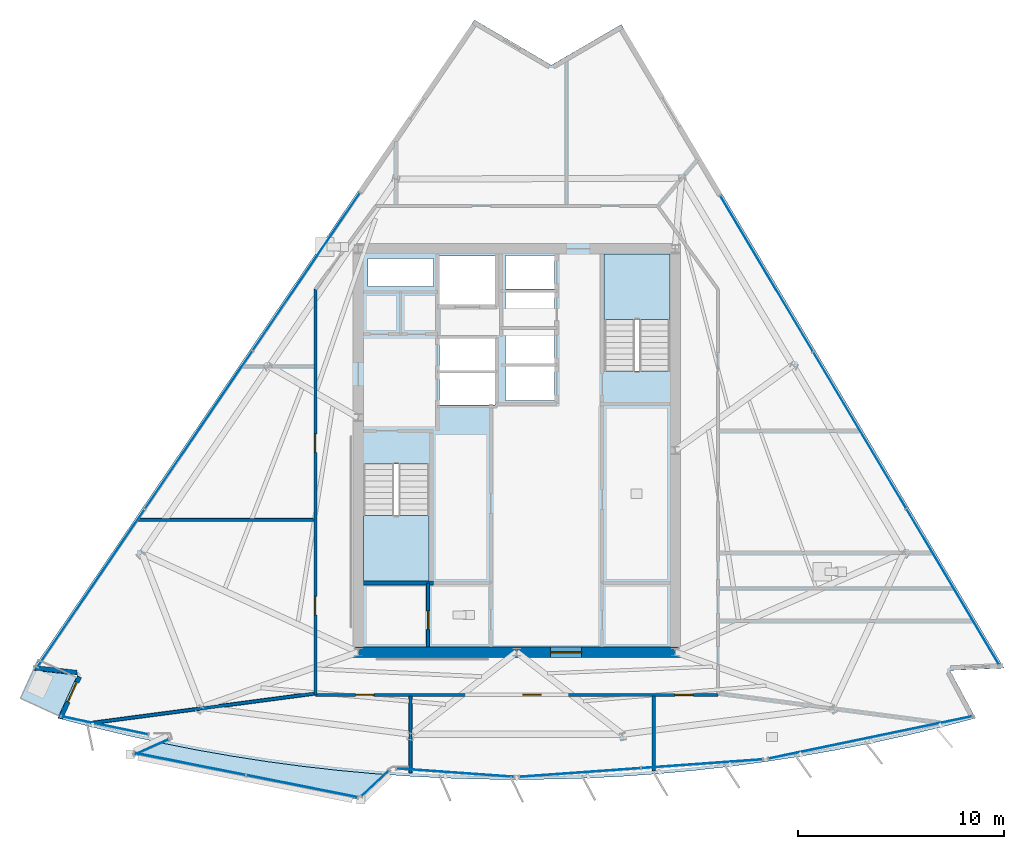
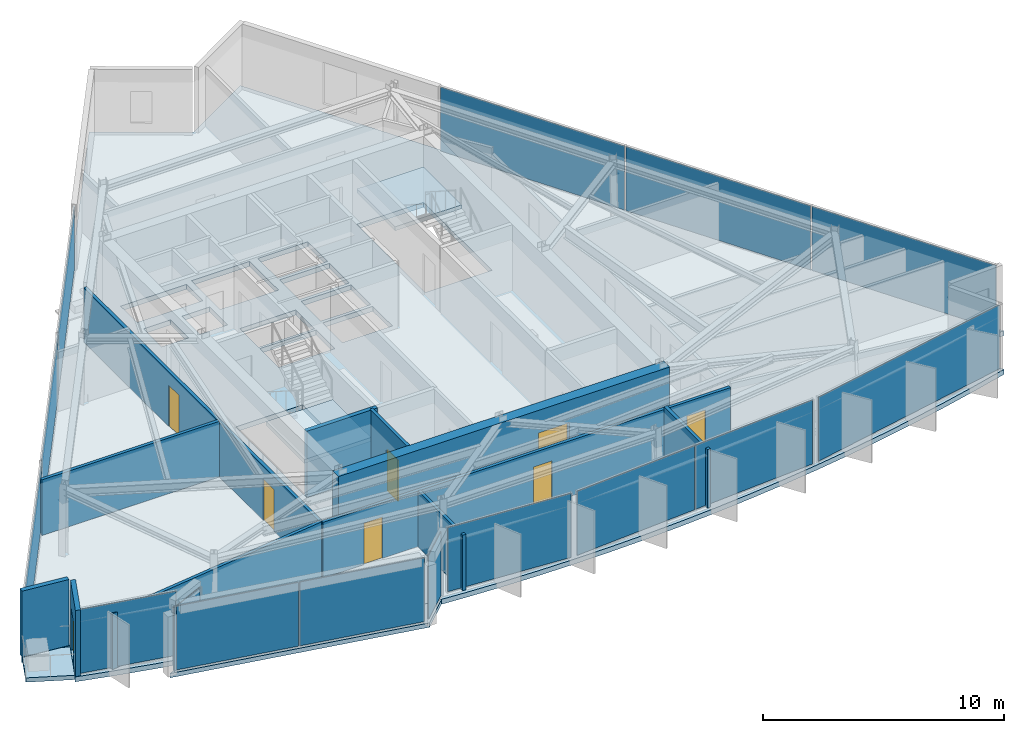
# One storey, part 6 of 13: 15 plates, 11 walls, 8 doors, 5 slabs, 8 openings, 11 elements without a shape of their own.
"""IFC4 building model written with IfcOpenShell, lengths in metres."""

from ifc_helpers import new_model, si_unit, direction, frame, frame_2d, origin, origin_2d, place, context, subcontext, project, spatial, polyline, rectangle, outline, extrude, material, layer, layer_set, type_object, element, fill, aggregate, save


model = new_model("IFC4")

# Units and contexts
model_context = context("Model", 3, precision=1e-05, world=origin(), true_north=direction((0.0, 1.0)))
body_context = subcontext(model_context, "Body", "Model", "MODEL_VIEW")
ifc_project = project(units=[si_unit("LENGTHUNIT", "METRE"), si_unit("AREAUNIT", "SQUARE_METRE"), si_unit("VOLUMEUNIT", "CUBIC_METRE"), si_unit("PLANEANGLEUNIT", "RADIAN"), si_unit("MASSUNIT", "GRAM", prefix="KILO")], contexts=[model_context])

# Site, building, storey
site_placement = place(None, origin())
site = spatial("IfcSite", under=ifc_project, at=site_placement, CompositionType="ELEMENT")
building_placement = place(site_placement, origin())
building = spatial("IfcBuilding", under=site, at=building_placement, Name="Savorim Split Tower", CompositionType="ELEMENT")
storey_placement = place(building_placement, frame((0.0, 0.0, 276.0)))
storey = spatial("IfcBuildingStorey", under=building, at=storey_placement, Name="L73", CompositionType="ELEMENT", Elevation=276.0)

# Curtain wall, plate
ifc_material_1 = material(Name="Dark Ceramic-Fritted Insulated Glass", Category="glass")
curtain_wall_type_1 = type_object("IfcCurtainWallType", Name="CW-TWR-FRIT-B", PredefinedType="NOTDEFINED", material=ifc_material_1)
curtain_wall_1_placement = place(storey_placement, origin())
curtain_wall_1 = element("IfcCurtainWall", 1, at=curtain_wall_1_placement, inside=storey, type_object=curtain_wall_type_1, Name="L73 Curtain Wall CW-L73-SF1A", PredefinedType="NOTDEFINED")
ifc_layer_1 = layer(ifc_material_1, 0.02587890625)
ifc_layer_set_1 = layer_set([ifc_layer_1], Name="CWP-FRITB-26")
plate_type_1 = type_object("IfcPlateType", Name="CWP-FRITB-26", PredefinedType="CURTAIN_PANEL", material=ifc_layer_set_1)
plate_1_placement = place(storey_placement, frame((-20.01708984375, -12.9560546875, 0.050048828125), z_axis=(0.0, 0.0, 1.0), x_axis=(0.979133069739, -0.203220155852, 0.0)))
plate_1 = element("IfcPlate", 2, at=plate_1_placement, type_object=plate_type_1, Name="CW-03 panel 1.1", PredefinedType="CURTAIN_PANEL", context=body_context, shape_type="SweptSolid", body=[
    extrude(rectangle(XDim=4.28125, YDim=0.02587890625, at=origin_2d()), origin(), (0.0, 0.0, 1.0), 3.25),
])
aggregate(curtain_wall_1, [plate_1])

curtain_wall_2_placement = place(storey_placement, origin())
curtain_wall_2 = element("IfcCurtainWall", 3, at=curtain_wall_2_placement, inside=storey, type_object=curtain_wall_type_1, Name="L73 Curtain Wall CW-L73-SF2A", PredefinedType="NOTDEFINED")
plate_2_placement = place(storey_placement, frame((-2.98681640625, -15.25439453125, 0.050048828125), z_axis=(0.0, 0.0, 1.0), x_axis=(0.997436181633, -0.071561606808, 0.0)))
plate_2 = element("IfcPlate", 4, at=plate_2_placement, type_object=plate_type_1, Name="CW-03 panel 1.1", PredefinedType="CURTAIN_PANEL", context=body_context, shape_type="SweptSolid", body=[
    extrude(rectangle(XDim=5.686279296875, YDim=0.02587890625, at=origin_2d()), origin(), (0.0, 0.0, 1.0), 3.25),
])
aggregate(curtain_wall_2, [plate_2])

# Curtain wall, plates
curtain_wall_3_placement = place(storey_placement, origin())
curtain_wall_3 = element("IfcCurtainWall", 5, at=curtain_wall_3_placement, inside=storey, type_object=curtain_wall_type_1, Name="L73 Curtain Wall CW-L73-SF3A", PredefinedType="NOTDEFINED")
plate_3_placement = place(storey_placement, frame((3.082763671875, -15.24755859375, 0.050048828125), z_axis=(0.0, 0.0, 1.0), x_axis=(0.997436282449, 0.071560201608, 0.0)))
plate_3 = element("IfcPlate", 6, at=plate_3_placement, type_object=plate_type_1, Name="CW-03 panel 1.1", PredefinedType="CURTAIN_PANEL", context=body_context, shape_type="SweptSolid", body=[
    extrude(rectangle(XDim=5.87841796875, YDim=0.02587890625, at=origin_2d()), origin(), (0.0, 0.0, 1.0), 3.25),
])
plate_4_placement = place(storey_placement, frame((9.005859375, -14.822509765625, 0.050048828125), z_axis=(0.0, 0.0, 1.0), x_axis=(0.997436282449, 0.071560201608, 0.0)))
plate_4 = element("IfcPlate", 7, at=plate_4_placement, type_object=plate_type_1, Name="CW-03 panel 2.1", PredefinedType="CURTAIN_PANEL", context=body_context, shape_type="SweptSolid", body=[
    extrude(rectangle(XDim=5.87841796875, YDim=0.02587890625, at=origin_2d()), origin(), (0.0, 0.0, 1.0), 3.25),
])
aggregate(curtain_wall_3, [plate_3, plate_4])

# Curtain wall, plate
curtain_wall_4_placement = place(storey_placement, origin())
curtain_wall_4 = element("IfcCurtainWall", 8, at=curtain_wall_4_placement, inside=storey, type_object=curtain_wall_type_1, Name="L73 Curtain Wall CW-L73-SF4A", PredefinedType="NOTDEFINED")
plate_5_placement = place(storey_placement, frame((17.175537109375, -13.545654296875, 0.050048828125), z_axis=(0.0, 0.0, 1.0), x_axis=(0.979134131762, 0.203215038861, 0.0)))
plate_5 = element("IfcPlate", 9, at=plate_5_placement, type_object=plate_type_1, Name="CW-03 panel 1.1", PredefinedType="CURTAIN_PANEL", context=body_context, shape_type="SweptSolid", body=[
    extrude(rectangle(XDim=10.08544921875, YDim=0.02587890625, at=origin_2d()), origin(), (0.0, 0.0, 1.0), 3.25),
])
aggregate(curtain_wall_4, [plate_5])

# Curtain wall, plates
curtain_wall_5_placement = place(storey_placement, origin())
curtain_wall_5 = element("IfcCurtainWall", 10, at=curtain_wall_5_placement, inside=storey, type_object=curtain_wall_type_1, Name="L73 Curtain Wall CW-L73-EAST", PredefinedType="NOTDEFINED")
plate_6_placement = place(storey_placement, frame((21.18701171875, -6.226318359375, 0.050048828125), z_axis=(0.0, 0.0, 1.0), x_axis=(-0.511091684727, 0.859526200766, 0.0)))
plate_6 = element("IfcPlate", 11, at=plate_6_placement, type_object=plate_type_1, Name="CW-03 panel 1.1", PredefinedType="CURTAIN_PANEL", context=body_context, shape_type="SweptSolid", body=[
    extrude(rectangle(XDim=8.775390625, YDim=0.02587890625, at=origin_2d()), origin(), (0.0, 0.0, 1.0), 3.25),
])
plate_7_placement = place(storey_placement, frame((16.66357421875, 1.380615234375, 0.050048828125), z_axis=(0.0, 0.0, 1.0), x_axis=(-0.511091684727, 0.859526200766, 0.0)))
plate_7 = element("IfcPlate", 12, at=plate_7_placement, type_object=plate_type_1, Name="CW-03 panel 2.1", PredefinedType="CURTAIN_PANEL", context=body_context, shape_type="SweptSolid", body=[
    extrude(rectangle(XDim=8.80517578125, YDim=0.02587890625, at=origin_2d()), origin(), (0.0, 0.0, 1.0), 3.25),
])
plate_8_placement = place(storey_placement, frame((12.140380859375, 8.98779296875, 0.050048828125), z_axis=(0.0, 0.0, 1.0), x_axis=(-0.511091684727, 0.859526200766, 0.0)))
plate_8 = element("IfcPlate", 13, at=plate_8_placement, type_object=plate_type_1, Name="CW-03 panel 3.1", PredefinedType="CURTAIN_PANEL", context=body_context, shape_type="SweptSolid", body=[
    extrude(rectangle(XDim=8.775390625, YDim=0.02587890625, at=origin_2d()), origin(), (0.0, 0.0, 1.0), 3.25),
])
aggregate(curtain_wall_5, [plate_6, plate_7, plate_8])

curtain_wall_6_placement = place(storey_placement, origin())
curtain_wall_6 = element("IfcCurtainWall", 14, at=curtain_wall_6_placement, inside=storey, type_object=curtain_wall_type_1, Name="L73 Curtain Wall CW-L73-WEST", PredefinedType="NOTDEFINED")
plate_9_placement = place(storey_placement, frame((-10.220703125, 9.082275390625, 0.050048828125), z_axis=(0.0, 0.0, 1.0), x_axis=(-0.562470084107, -0.826817636776, 0.0)))
plate_9 = element("IfcPlate", 15, at=plate_9_placement, type_object=plate_type_1, Name="CW-03 panel 1.1", PredefinedType="CURTAIN_PANEL", context=body_context, shape_type="SweptSolid", body=[
    extrude(rectangle(XDim=9.22265625, YDim=0.02587890625, at=origin_2d()), origin(), (0.0, 0.0, 1.0), 3.25),
])
plate_10_placement = place(storey_placement, frame((-15.450439453125, 1.394775390625, 0.050048828125), z_axis=(0.0, 0.0, 1.0), x_axis=(-0.562470084107, -0.826817636776, 0.0)))
plate_10 = element("IfcPlate", 16, at=plate_10_placement, type_object=plate_type_1, Name="CW-03 panel 2.1", PredefinedType="CURTAIN_PANEL", context=body_context, shape_type="SweptSolid", body=[
    extrude(rectangle(XDim=9.252685546875, YDim=0.02587890625, at=origin_2d()), origin(), (0.0, 0.0, 1.0), 3.25),
])
plate_11_placement = place(storey_placement, frame((-20.679931640625, -6.292724609375, 0.050048828125), z_axis=(0.0, 0.0, 1.0), x_axis=(-0.562470084107, -0.826817636776, 0.0)))
plate_11 = element("IfcPlate", 17, at=plate_11_placement, type_object=plate_type_1, Name="CW-03 panel 3.1", PredefinedType="CURTAIN_PANEL", context=body_context, shape_type="SweptSolid", body=[
    extrude(rectangle(XDim=9.22265625, YDim=0.02587890625, at=origin_2d()), origin(), (0.0, 0.0, 1.0), 3.25),
])
aggregate(curtain_wall_6, [plate_9, plate_10, plate_11])

curtain_wall_type_2 = type_object("IfcCurtainWallType", Name="CW-BAY-LOUNGE", PredefinedType="NOTDEFINED", material=ifc_material_1)
curtain_wall_7_placement = place(storey_placement, origin())
curtain_wall_7 = element("IfcCurtainWall", 18, at=curtain_wall_7_placement, inside=storey, type_object=curtain_wall_type_2, Name="L73 Curtain Wall CW-L73-BAYF", PredefinedType="NOTDEFINED")
ifc_material_2 = material(Name="Low-E Operable Double Glazing", Category="glass")
ifc_layer_2 = layer(ifc_material_2, 0.031982421875)
ifc_layer_set_2 = layer_set([ifc_layer_2], Name="CWP-POD-32")
plate_type_2 = type_object("IfcPlateType", Name="CWP-POD-32", PredefinedType="CURTAIN_PANEL", material=ifc_layer_set_2)
plate_12_placement = place(storey_placement, frame((-15.873291015625, -14.8330078125, 0.05517578125), z_axis=(0.0, 0.0, 1.0), x_axis=(0.980905606927, -0.194484421737, 0.0)))
plate_12 = element("IfcPlate", 19, at=plate_12_placement, type_object=plate_type_2, Name="CW-04 panel 1.1", PredefinedType="CURTAIN_PANEL", context=body_context, shape_type="SweptSolid", body=[
    extrude(rectangle(XDim=5.48388671875, YDim=0.031982421875, at=origin_2d()), origin(), (0.0, 0.0, 1.0), 3.239990234375),
])
plate_13_placement = place(storey_placement, frame((-10.43017578125, -15.912109375, 0.05517578125), z_axis=(0.0, 0.0, 1.0), x_axis=(0.980905606927, -0.194484421737, 0.0)))
plate_13 = element("IfcPlate", 20, at=plate_13_placement, type_object=plate_type_2, Name="CW-04 panel 2.1", PredefinedType="CURTAIN_PANEL", context=body_context, shape_type="SweptSolid", body=[
    extrude(rectangle(XDim=5.48388671875, YDim=0.031982421875, at=origin_2d()), origin(), (0.0, 0.0, 1.0), 3.239990234375),
])
aggregate(curtain_wall_7, [plate_12, plate_13])

# Curtain wall, plate
curtain_wall_8_placement = place(storey_placement, origin())
curtain_wall_8 = element("IfcCurtainWall", 21, at=curtain_wall_8_placement, inside=storey, type_object=curtain_wall_type_2, Name="L73 Curtain Wall CW-L73-BAYW", PredefinedType="NOTDEFINED")
plate_14_placement = place(storey_placement, frame((-17.74658203125, -14.01513671875, 0.05517578125), z_axis=(0.0, 0.0, 1.0), x_axis=(-0.912431017812, -0.409230543501, 0.0)))
plate_14 = element("IfcPlate", 22, at=plate_14_placement, type_object=plate_type_2, Name="CW-04 panel 1.1", PredefinedType="CURTAIN_PANEL", context=body_context, shape_type="SweptSolid", body=[
    extrude(rectangle(XDim=1.81005859375, YDim=0.031982421875, at=origin_2d()), origin(), (0.0, 0.0, 1.0), 3.239990234375),
])
aggregate(curtain_wall_8, [plate_14])

curtain_wall_9_placement = place(storey_placement, origin())
curtain_wall_9 = element("IfcCurtainWall", 23, at=curtain_wall_9_placement, inside=storey, type_object=curtain_wall_type_2, Name="L73 Curtain Wall CW-L73-BAYE", PredefinedType="NOTDEFINED")
plate_15_placement = place(storey_placement, frame((-6.87060546875, -15.77099609375, 0.05517578125), z_axis=(0.0, 0.0, 1.0), x_axis=(0.725947265725, 0.687750367057, 0.0)))
plate_15 = element("IfcPlate", 24, at=plate_15_placement, type_object=plate_type_2, Name="CW-04 panel 1.1", PredefinedType="CURTAIN_PANEL", context=body_context, shape_type="SweptSolid", body=[
    extrude(rectangle(XDim=1.81005859375, YDim=0.031982421875, at=origin_2d()), origin(), (0.0, 0.0, 1.0), 3.239990234375),
])
aggregate(curtain_wall_9, [plate_15])

# Slabs
ifc_material_3 = material(Name="Concrete C50/60", Category="concrete")
ifc_layer_3 = layer(ifc_material_3, 0.219970703125)
ifc_layer_set_3 = layer_set([ifc_layer_3], Name="SLB-BAL-220")
slab_type_1 = type_object("IfcSlabType", Name="SLB-BAL-220", PredefinedType="FLOOR", material=ifc_layer_set_3)
slab_1_placement = place(storey_placement, frame((0.0, 0.0, -0.219970703125)))
element("IfcSlab", 25, at=slab_1_placement, inside=storey, type_object=slab_type_1, Name="L73 Cantilevered Shared Kitchen Lounge Slab", PredefinedType="FLOOR", context=body_context, shape_type="SweptSolid", body=[
    extrude(outline(polyline([(-6.28271484375, -15.351806640625), (-6.93359375, -15.30517578125), (-8.66162109375, -15.1455078125), (-10.3857421875, -14.95068359375), (-12.105712890625, -14.720458984375), (-13.820556640625, -14.455078125), (-15.52978515625, -14.15478515625), (-17.232421875, -13.819580078125), (-17.44921875, -13.772216796875), (-18.763916015625, -14.36181640625), (-7.57861328125, -16.57958984375), (-6.28271484375, -15.351806640625)])), origin(), (0.0, 0.0, 1.0), 0.219970703125),
])
slab_2_placement = place(storey_placement, frame((0.0, 0.0, -0.219970703125)))
element("IfcSlab", 26, at=slab_2_placement, inside=storey, type_object=slab_type_1, Name="L73 Notched Corner Planted Tree Balcony Slab", PredefinedType="FLOOR", context=body_context, shape_type="SweptSolid", body=[
    extrude(outline(polyline([(-22.24853515625, -12.494873046875), (-21.3876953125, -10.62158203125), (-21.6982421875, -10.47900390625), (-23.481201171875, -10.27978515625), (-24.106689453125, -11.64111328125), (-22.24853515625, -12.494873046875)])), origin(), (0.0, 0.0, 1.0), 0.219970703125),
])

# Stair, slab
stair_type = type_object("IfcStairType", Name="STR-DOG-3600", PredefinedType="HALF_TURN_STAIR", material=ifc_material_3)
stair_1_placement = place(storey_placement, origin())
stair_1 = element("IfcStair", 27, at=stair_1_placement, inside=storey, type_object=stair_type, Name="L73 Core Protected Exit Stair ST-1", PredefinedType="HALF_TURN_STAIR")
ifc_layer_4 = layer(ifc_material_3, 0.199951171875)
ifc_layer_set_4 = layer_set([ifc_layer_4], Name="SLB-LND-200")
slab_type_2 = type_object("IfcSlabType", Name="SLB-LND-200", PredefinedType="LANDING", material=ifc_layer_set_4)
slab_3_placement = place(storey_placement, frame((0.0, 0.0, 1.60009765625)))
slab_3 = element("IfcSlab", 28, at=slab_3_placement, type_object=slab_type_2, Name="ST-1 landing 1", PredefinedType="LANDING", context=body_context, shape_type="SweptSolid", body=[
    extrude(outline(polyline([(-7.449951171875, -2.77001953125), (-7.449951171875, -5.949951171875), (-4.25, -5.949951171875), (-4.25, -2.77001953125), (-7.449951171875, -2.77001953125)])), origin(), (0.0, 0.0, 1.0), 0.199951171875),
])
aggregate(stair_1, [slab_3])

stair_2_placement = place(storey_placement, origin())
stair_2 = element("IfcStair", 29, at=stair_2_placement, inside=storey, type_object=stair_type, Name="L73 Core Protected Exit Stair ST-2", PredefinedType="HALF_TURN_STAIR")
slab_4_placement = place(storey_placement, frame((0.0, 0.0, 1.60009765625)))
slab_4 = element("IfcSlab", 30, at=slab_4_placement, type_object=slab_type_2, Name="ST-2 landing 1", PredefinedType="LANDING", context=body_context, shape_type="SweptSolid", body=[
    extrude(outline(polyline([(7.449951171875, 6.77001953125), (7.449951171875, 9.949951171875), (4.25, 9.949951171875), (4.25, 6.77001953125), (7.449951171875, 6.77001953125)])), origin(), (0.0, 0.0, 1.0), 0.199951171875),
])
aggregate(stair_2, [slab_4])

# Slab
ifc_layer_5 = layer(ifc_material_3, 0.25)
ifc_layer_set_5 = layer_set([ifc_layer_5], Name="SLB-TWR-250")
slab_type_3 = type_object("IfcSlabType", Name="SLB-TWR-250", PredefinedType="FLOOR", material=ifc_layer_set_5)
slab_5_placement = place(storey_placement, frame((0.0, 0.0, -0.25)))
element("IfcSlab", 31, at=slab_5_placement, inside=storey, type_object=slab_type_3, Name="L73 Structural Floor Slab", PredefinedType="FLOOR", context=body_context, shape_type="SweptSolid", body=[
    extrude(outline(polyline([(-22.2939453125, -12.60595703125), (-20.615234375, -13.045166015625), (-18.927734375, -13.44970703125), (-17.232421875, -13.819580078125), (-15.52978515625, -14.15478515625), (-13.820556640625, -14.455078125), (-12.105712890625, -14.720458984375), (-10.3857421875, -14.95068359375), (-8.66162109375, -15.1455078125), (-6.93359375, -15.30517578125), (-5.20263671875, -15.42919921875), (-3.4697265625, -15.51806640625), (-1.735107421875, -15.5712890625), (0.0, -15.589111328125), (1.735107421875, -15.5712890625), (3.4697265625, -15.51806640625), (5.20263671875, -15.42919921875), (6.93359375, -15.30517578125), (8.66162109375, -15.1455078125), (10.3857421875, -14.95068359375), (12.105712890625, -14.720458984375), (13.820556640625, -14.455078125), (15.52978515625, -14.15478515625), (17.232421875, -13.819580078125), (18.927734375, -13.44970703125), (20.615234375, -13.045166015625), (22.2939453125, -12.60595703125), (21.050537109375, -10.288818359375), (23.67578125, -10.177001953125), (5.08203125, 21.0927734375), (1.687744140625, 19.114501953125), (-2.047607421875, 21.31005859375), (-23.530517578125, -10.269287109375), (-21.333251953125, -10.514892578125), (-22.2939453125, -12.60595703125)]), holes=[polyline([(-7.449951171875, -0.25390625), (-7.449951171875, -5.949951171875), (-4.25, -5.949951171875), (-4.25, -0.25390625), (-7.449951171875, -0.25390625)]), polyline([(7.449951171875, 4.25390625), (7.449951171875, 9.949951171875), (4.25, 9.949951171875), (4.25, 4.25390625), (7.449951171875, 4.25390625)]), polyline([(-0.550048828125, 2.830078125), (1.85009765625, 2.830078125), (1.85009765625, 4.469970703125), (-0.550048828125, 4.469970703125), (-0.550048828125, 2.830078125)]), polyline([(-0.550048828125, 4.6298828125), (1.85009765625, 4.6298828125), (1.85009765625, 6.27001953125), (-0.550048828125, 6.27001953125), (-0.550048828125, 4.6298828125)]), polyline([(-0.550048828125, 6.429931640625), (1.85009765625, 6.429931640625), (1.85009765625, 8.070068359375), (-0.550048828125, 8.070068359375), (-0.550048828125, 6.429931640625)]), polyline([(-0.550048828125, 8.22998046875), (1.85009765625, 8.22998046875), (1.85009765625, 9.8701171875), (-0.550048828125, 9.8701171875), (-0.550048828125, 8.22998046875)]), polyline([(-3.75, 2.60009765625), (-1.050048828125, 2.60009765625), (-1.050048828125, 4.159912109375), (-3.75, 4.159912109375), (-3.75, 2.60009765625)]), polyline([(-3.75, 4.280029296875), (-1.050048828125, 4.280029296875), (-1.050048828125, 5.840087890625), (-3.75, 5.840087890625), (-3.75, 4.280029296875)]), polyline([(-3.75, 7.449951171875), (-0.949951171875, 7.449951171875), (-0.949951171875, 9.85009765625), (-3.75, 9.85009765625), (-3.75, 7.449951171875)]), polyline([(-7.219970703125, 6.320068359375), (-5.919921875, 6.320068359375), (-5.919921875, 7.820068359375), (-7.219970703125, 7.820068359375), (-7.219970703125, 6.320068359375)]), polyline([(-5.3798828125, 6.320068359375), (-4.050048828125, 6.320068359375), (-4.050048828125, 7.820068359375), (-5.3798828125, 7.820068359375), (-5.3798828125, 6.320068359375)]), polyline([(-7.219970703125, 8.360107421875), (-4.050048828125, 8.360107421875), (-4.050048828125, 9.719970703125), (-7.219970703125, 9.719970703125), (-7.219970703125, 8.360107421875)])]), origin(), (0.0, 0.0, 1.0), 0.25),
])

# Wall, opening, door
ifc_material_4 = material(Name="Concrete C60/75", Category="concrete")
ifc_layer_6 = layer(ifc_material_4, 0.5)
ifc_layer_set_6 = layer_set([ifc_layer_6], Name="WAL-COR-SH500")
wall_type_1 = type_object("IfcWallType", Name="WAL-COR-SH500", PredefinedType="SHEAR", material=ifc_layer_set_6)
wall_1_placement = place(storey_placement, frame((-7.949951171875, -9.39990234375, 0.0), z_axis=(0.0, 0.0, 1.0), x_axis=(1.0, 0.0, 0.0)))
wall_1 = element("IfcWall", 32, at=wall_1_placement, inside=storey, type_object=wall_type_1, Name="L73 Offset Core South Shear Wall", PredefinedType="SHEAR", context=body_context, shape_type="SweptSolid", body=[
    extrude(rectangle(XDim=15.89990234375, YDim=0.5, at=frame_2d((7.949951171875, 0.0))), origin(), (0.0, 0.0, 1.0), 3.35009765625),
])
opening_1_placement = place(wall_1_placement, frame((9.60009765625, 0.0, 0.0)))
opening_1 = element("IfcOpeningElement", 33, at=opening_1_placement, cuts=wall_1, Name="Opening DI-02", PredefinedType="OPENING", context=body_context, shape_type="SweptSolid", body=[
    extrude(rectangle(XDim=1.5, YDim=2.199951171875, at=frame_2d((0.75, 1.10009765625))), frame((0.0, 0.260009765625, 0.0), z_axis=(0.0, -1.0, 0.0), x_axis=(1.0, 0.0, 0.0)), (0.0, 0.0, 1.0), 0.52001953125),
])
ifc_material_5 = material(Name="Timber Fire Door Leaf", Category="wood")
door_type_1 = type_object("IfcDoorType", Name="DOR-DBL-1500", OperationType="NOTDEFINED", PredefinedType="DOOR", material=ifc_material_5)
door_1_placement = place(opening_1_placement, origin())
door_1 = element("IfcDoor", 34, at=door_1_placement, inside=storey, type_object=door_type_1, Name="DOR-L73-COR-LLOB - L73 Lift Lobby Main Rated Door", OperationType="DOUBLE_DOOR_SINGLE_SWING", OverallHeight=2.199951171875, OverallWidth=1.5, PredefinedType="DOOR", context=body_context, shape_type="SweptSolid", body=[
    extrude(rectangle(XDim=1.5, YDim=2.199951171875, at=frame_2d((0.75, 1.10009765625))), frame((0.0, 0.02490234375, 0.0), z_axis=(0.0, -1.0, 0.0), x_axis=(1.0, 0.0, 0.0)), (0.0, 0.0, 1.0), 0.050048828125),
])
fill(opening_1, door_1)

# Wall
ifc_material_6 = material(Name="Precast concrete C40/50", Category="concrete")
ifc_layer_7 = layer(ifc_material_6, 0.219970703125)
ifc_layer_set_7 = layer_set([ifc_layer_7], Name="WAL-EXT-CRN220")
wall_type_2 = type_object("IfcWallType", Name="WAL-EXT-CRN220", PredefinedType="SOLIDWALL", material=ifc_layer_set_7)
wall_2_placement = place(storey_placement, frame((-21.359619140625, -10.39111328125, 0.0), z_axis=(0.0, 0.0, 1.0), x_axis=(-0.993817888275, 0.111022542511, 0.0)))
element("IfcWall", 35, at=wall_2_placement, inside=storey, type_object=wall_type_2, Name="L73 Notched Corner Facade Wall SW1", PredefinedType="SOLIDWALL", context=body_context, shape_type="SweptSolid", body=[
    extrude(rectangle(XDim=2.130859375, YDim=0.219970703125, at=frame_2d((1.0654296875, 0.0))), origin(), (0.0, 0.0, 1.0), 3.35009765625),
])

# Wall, opening, door
wall_3_placement = place(storey_placement, frame((-22.168212890625, -12.619873046875, 0.0), z_axis=(0.0, 0.0, 1.0), x_axis=(0.417426589535, 0.908710648308, 0.0)))
wall_3 = element("IfcWall", 36, at=wall_3_placement, inside=storey, type_object=wall_type_2, Name="L73 Notched Corner Facade Wall SW", PredefinedType="SOLIDWALL", context=body_context, shape_type="SweptSolid", body=[
    extrude(rectangle(XDim=2.221435546875, YDim=0.219970703125, at=frame_2d((1.11083984375, 0.0))), origin(), (0.0, 0.0, 1.0), 3.35009765625),
])
opening_2_placement = place(wall_3_placement, frame((0.8857421875, 0.0, 0.0)))
opening_2 = element("IfcOpeningElement", 37, at=opening_2_placement, cuts=wall_3, Name="Opening DB-01", PredefinedType="OPENING", context=body_context, shape_type="SweptSolid", body=[
    extrude(rectangle(XDim=1.050048828125, YDim=2.14990234375, at=frame_2d((0.52490234375, 1.074951171875))), frame((0.0, 0.119873046875, 0.0), z_axis=(0.0, -1.0, 0.0), x_axis=(1.0, 0.0, 0.0)), (0.0, 0.0, 1.0), 0.239990234375),
])
ifc_material_7 = material(Name="Charcoal Anodised Aluminium", Category="aluminium")
door_type_2 = type_object("IfcDoorType", Name="DOR-BAL-1050", OperationType="NOTDEFINED", PredefinedType="DOOR", material=ifc_material_7)
door_2_placement = place(opening_2_placement, origin())
door_2 = element("IfcDoor", 38, at=door_2_placement, inside=storey, type_object=door_type_2, Name="DOR-L73-TBAL-SW - L73 Planted Tree Balcony Door SW", OperationType="SINGLE_SWING_RIGHT", OverallHeight=2.14990234375, OverallWidth=1.050048828125, PredefinedType="DOOR", context=body_context, shape_type="SweptSolid", body=[
    extrude(rectangle(XDim=1.050048828125, YDim=2.14990234375, at=frame_2d((0.52490234375, 1.074951171875))), frame((0.0, 0.02490234375, 0.0), z_axis=(0.0, -1.0, 0.0), x_axis=(1.0, 0.0, 0.0)), (0.0, 0.0, 1.0), 0.050048828125),
])
fill(opening_2, door_2)

# Wall
ifc_layer_8 = layer(ifc_material_3, 0.199951171875)
ifc_layer_set_8 = layer_set([ifc_layer_8], Name="WAL-INT-RC200")
wall_type_3 = type_object("IfcWallType", Name="WAL-INT-RC200", PredefinedType="SOLIDWALL", material=ifc_layer_set_8)
wall_4_placement = place(storey_placement, frame((-7.449951171875, -6.050048828125, 0.0), z_axis=(0.0, 0.0, 1.0), x_axis=(1.0, 0.0, 0.0)))
element("IfcWall", 39, at=wall_4_placement, inside=storey, type_object=wall_type_3, Name="L73 Structural Shaft Wall W-L73-KSEP-W", PredefinedType="SOLIDWALL", context=body_context, shape_type="SweptSolid", body=[
    extrude(rectangle(XDim=3.39990234375, YDim=0.199951171875, at=frame_2d((1.699951171875, 0.0))), origin(), (0.0, 0.0, 1.0), 3.35009765625),
])

# Wall, opening, door
ifc_material_8 = material(Name="Acoustic Gypsum Partition Board")
ifc_layer_9 = layer(ifc_material_8, 0.14990234375)
ifc_layer_set_9 = layer_set([ifc_layer_9], Name="WAL-PAR-150")
wall_type_4 = type_object("IfcWallType", Name="WAL-PAR-150", PredefinedType="PARTITIONING", material=ifc_layer_set_9)
wall_5_placement = place(storey_placement, frame((-4.300048828125, -9.14501953125, 0.0), z_axis=(0.0, 0.0, 1.0), x_axis=(0.0, 1.0, 0.0)))
wall_5 = element("IfcWall", 40, at=wall_5_placement, inside=storey, type_object=wall_type_4, Name="L73 Partition W-L73-K1W", PredefinedType="PARTITIONING", context=body_context, shape_type="SweptSolid", body=[
    extrude(rectangle(XDim=3.094970703125, YDim=0.14990234375, at=frame_2d((1.54736328125, 0.0))), origin(), (0.0, 0.0, 1.0), 3.35009765625),
])
opening_3_placement = place(wall_5_placement, frame((0.844970703125, 0.0, 0.0)))
opening_3 = element("IfcOpeningElement", 41, at=opening_3_placement, cuts=wall_5, Name="Opening DI-06", PredefinedType="OPENING", context=body_context, shape_type="SweptSolid", body=[
    extrude(rectangle(XDim=0.89990234375, YDim=2.10009765625, at=frame_2d((0.449951171875, 1.050048828125))), frame((0.0, 0.0849609375, 0.0), z_axis=(0.0, -1.0, 0.0), x_axis=(1.0, 0.0, 0.0)), (0.0, 0.0, 1.0), 0.169921875),
])
door_type_3 = type_object("IfcDoorType", Name="DOR-FIR-900", OperationType="NOTDEFINED", PredefinedType="DOOR", material=ifc_material_5)
door_3_placement = place(opening_3_placement, origin())
door_3 = element("IfcDoor", 42, at=door_3_placement, inside=storey, type_object=door_type_3, Name="DR-L73-K1HK - L73 Housekeeping Store Door", OperationType="SINGLE_SWING_RIGHT", OverallHeight=2.10009765625, OverallWidth=0.89990234375, PredefinedType="DOOR", context=body_context, shape_type="SweptSolid", body=[
    extrude(rectangle(XDim=0.89990234375, YDim=2.10009765625, at=frame_2d((0.449951171875, 1.050048828125))), frame((0.0, 0.02490234375, 0.0), z_axis=(0.0, -1.0, 0.0), x_axis=(1.0, 0.0, 0.0)), (0.0, 0.0, 1.0), 0.050048828125),
])
fill(opening_3, door_3)

# Wall, openings, doors
wall_6_placement = place(storey_placement, frame((-9.780029296875, -11.47998046875, 0.0), z_axis=(0.0, 0.0, 1.0), x_axis=(0.0, 1.0, 0.0)))
wall_6 = element("IfcWall", 43, at=wall_6_placement, inside=storey, type_object=wall_type_4, Name="L73 Partition W-L73-COR-01", PredefinedType="PARTITIONING", context=body_context, shape_type="SweptSolid", body=[
    extrude(rectangle(XDim=19.705810546875, YDim=0.14990234375, at=frame_2d((9.85302734375, 0.0))), origin(), (0.0, 0.0, 1.0), 2.77490234375),
])
opening_4_placement = place(wall_6_placement, frame((11.78076171875, 0.0, 0.0)))
opening_4 = element("IfcOpeningElement", 44, at=opening_4_placement, cuts=wall_6, Name="Opening DI-06", PredefinedType="OPENING", context=body_context, shape_type="SweptSolid", body=[
    extrude(rectangle(XDim=0.89990234375, YDim=2.10009765625, at=frame_2d((0.449951171875, 1.050048828125))), frame((0.0, 0.0849609375, 0.0), z_axis=(0.0, -1.0, 0.0), x_axis=(1.0, 0.0, 0.0)), (0.0, 0.0, 1.0), 0.169921875),
])
opening_5_placement = place(wall_6_placement, frame((3.893798828125, 0.0, 0.0)))
opening_5 = element("IfcOpeningElement", 45, at=opening_5_placement, cuts=wall_6, Name="Opening DI-06", PredefinedType="OPENING", context=body_context, shape_type="SweptSolid", body=[
    extrude(rectangle(XDim=0.89990234375, YDim=2.10009765625, at=frame_2d((0.449951171875, 1.050048828125))), frame((0.0, 0.0849609375, 0.0), z_axis=(0.0, -1.0, 0.0), x_axis=(1.0, 0.0, 0.0)), (0.0, 0.0, 1.0), 0.169921875),
])
door_4_placement = place(opening_4_placement, origin())
door_4 = element("IfcDoor", 46, at=door_4_placement, inside=storey, type_object=door_type_3, Name="DR-L73-RM01 - L73 Quiet Study Room Entry Door", OperationType="SINGLE_SWING_RIGHT", OverallHeight=2.10009765625, OverallWidth=0.89990234375, PredefinedType="DOOR", context=body_context, shape_type="SweptSolid", body=[
    extrude(rectangle(XDim=0.89990234375, YDim=2.10009765625, at=frame_2d((0.449951171875, 1.050048828125))), frame((0.0, 0.02490234375, 0.0), z_axis=(0.0, -1.0, 0.0), x_axis=(1.0, 0.0, 0.0)), (0.0, 0.0, 1.0), 0.050048828125),
])
fill(opening_4, door_4)
door_5_placement = place(opening_5_placement, origin())
door_5 = element("IfcDoor", 47, at=door_5_placement, inside=storey, type_object=door_type_3, Name="DR-L73-RM02 - L73 Co-Working Commons Entry Door", OperationType="SINGLE_SWING_LEFT", OverallHeight=2.10009765625, OverallWidth=0.89990234375, PredefinedType="DOOR", context=body_context, shape_type="SweptSolid", body=[
    extrude(rectangle(XDim=0.89990234375, YDim=2.10009765625, at=frame_2d((0.449951171875, 1.050048828125))), frame((0.0, 0.02490234375, 0.0), z_axis=(0.0, -1.0, 0.0), x_axis=(1.0, 0.0, 0.0)), (0.0, 0.0, 1.0), 0.050048828125),
])
fill(opening_5, door_5)

wall_7_placement = place(storey_placement, frame((9.780029296875, -11.47998046875, 0.0), z_axis=(0.0, 0.0, 1.0), x_axis=(-1.0, 0.0, 0.0)))
wall_7 = element("IfcWall", 48, at=wall_7_placement, inside=storey, type_object=wall_type_4, Name="L73 Partition W-L73-COR-06", PredefinedType="PARTITIONING", context=body_context, shape_type="SweptSolid", body=[
    extrude(rectangle(XDim=19.56005859375, YDim=0.14990234375, at=frame_2d((9.780029296875, 0.0))), origin(), (0.0, 0.0, 1.0), 2.824951171875),
])
opening_6_placement = place(wall_7_placement, frame((16.706787109375, 0.0, 0.0)))
opening_6 = element("IfcOpeningElement", 49, at=opening_6_placement, cuts=wall_7, Name="Opening DI-06", PredefinedType="OPENING", context=body_context, shape_type="SweptSolid", body=[
    extrude(rectangle(XDim=0.89990234375, YDim=2.10009765625, at=frame_2d((0.449951171875, 1.050048828125))), frame((0.0, 0.0849609375, 0.0), z_axis=(0.0, -1.0, 0.0), x_axis=(1.0, 0.0, 0.0)), (0.0, 0.0, 1.0), 0.169921875),
])
opening_7_placement = place(wall_7_placement, frame((8.5751953125, 0.0, 0.0)))
opening_7 = element("IfcOpeningElement", 50, at=opening_7_placement, cuts=wall_7, Name="Opening DI-06", PredefinedType="OPENING", context=body_context, shape_type="SweptSolid", body=[
    extrude(rectangle(XDim=0.89990234375, YDim=2.10009765625, at=frame_2d((0.449951171875, 1.050048828125))), frame((0.0, 0.0849609375, 0.0), z_axis=(0.0, -1.0, 0.0), x_axis=(1.0, 0.0, 0.0)), (0.0, 0.0, 1.0), 0.169921875),
])
opening_8_placement = place(wall_7_placement, frame((1.198486328125, 0.0, 0.0)))
opening_8 = element("IfcOpeningElement", 51, at=opening_8_placement, cuts=wall_7, Name="Opening DI-06", PredefinedType="OPENING", context=body_context, shape_type="SweptSolid", body=[
    extrude(rectangle(XDim=0.89990234375, YDim=2.10009765625, at=frame_2d((0.449951171875, 1.050048828125))), frame((0.0, 0.0849609375, 0.0), z_axis=(0.0, -1.0, 0.0), x_axis=(1.0, 0.0, 0.0)), (0.0, 0.0, 1.0), 0.169921875),
])
door_6_placement = place(opening_6_placement, origin())
door_6 = element("IfcDoor", 52, at=door_6_placement, inside=storey, type_object=door_type_3, Name="DR-L73-RM03 - L73 Communal Lounge Entry Door", OperationType="SINGLE_SWING_RIGHT", OverallHeight=2.10009765625, OverallWidth=0.89990234375, PredefinedType="DOOR", context=body_context, shape_type="SweptSolid", body=[
    extrude(rectangle(XDim=0.89990234375, YDim=2.10009765625, at=frame_2d((0.449951171875, 1.050048828125))), frame((0.0, 0.02490234375, 0.0), z_axis=(0.0, -1.0, 0.0), x_axis=(1.0, 0.0, 0.0)), (0.0, 0.0, 1.0), 0.050048828125),
])
fill(opening_6, door_6)
door_7_placement = place(opening_7_placement, origin())
door_7 = element("IfcDoor", 53, at=door_7_placement, inside=storey, type_object=door_type_3, Name="DR-L73-RM04 - L73 Quiet Study Room Entry Door", OperationType="SINGLE_SWING_LEFT", OverallHeight=2.10009765625, OverallWidth=0.89990234375, PredefinedType="DOOR", context=body_context, shape_type="SweptSolid", body=[
    extrude(rectangle(XDim=0.89990234375, YDim=2.10009765625, at=frame_2d((0.449951171875, 1.050048828125))), frame((0.0, 0.02490234375, 0.0), z_axis=(0.0, -1.0, 0.0), x_axis=(1.0, 0.0, 0.0)), (0.0, 0.0, 1.0), 0.050048828125),
])
fill(opening_7, door_7)
door_8_placement = place(opening_8_placement, origin())
door_8 = element("IfcDoor", 54, at=door_8_placement, inside=storey, type_object=door_type_3, Name="DR-L73-RM05 - L73 Shared Kitchen Entry Door", OperationType="SINGLE_SWING_RIGHT", OverallHeight=2.10009765625, OverallWidth=0.89990234375, PredefinedType="DOOR", context=body_context, shape_type="SweptSolid", body=[
    extrude(rectangle(XDim=0.89990234375, YDim=2.10009765625, at=frame_2d((0.449951171875, 1.050048828125))), frame((0.0, 0.02490234375, 0.0), z_axis=(0.0, -1.0, 0.0), x_axis=(1.0, 0.0, 0.0)), (0.0, 0.0, 1.0), 0.050048828125),
])
fill(opening_8, door_8)

# Walls
wall_8_placement = place(storey_placement, frame((-9.839111328125, -11.413818359375, 0.0), z_axis=(0.0, 0.0, 1.0), x_axis=(-0.991382590764, -0.130998315755, 0.0)))
element("IfcWall", 55, at=wall_8_placement, inside=storey, type_object=wall_type_4, Name="L73 Partition W-L73-PRAD01", PredefinedType="PARTITIONING", context=body_context, shape_type="SweptSolid", body=[
    extrude(rectangle(XDim=10.951171875, YDim=0.14990234375, at=frame_2d((5.4755859375, 0.0))), origin(), (0.0, 0.0, 1.0), 2.824951171875),
])
wall_9_placement = place(storey_placement, frame((-5.151611328125, -11.5400390625, 0.0), z_axis=(0.0, 0.0, 1.0), x_axis=(0.0, -1.0, 0.0)))
element("IfcWall", 56, at=wall_9_placement, inside=storey, type_object=wall_type_4, Name="L73 Partition W-L73-PRAD02", PredefinedType="PARTITIONING", context=body_context, shape_type="SweptSolid", body=[
    extrude(rectangle(XDim=3.7216796875, YDim=0.14990234375, at=frame_2d((1.86083984375, 0.0))), origin(), (0.0, 0.0, 1.0), 2.824951171875),
])
wall_10_placement = place(storey_placement, frame((-9.840087890625, -2.970703125, 0.0), z_axis=(0.0, 0.0, 1.0), x_axis=(-1.0, 0.0, 0.0)))
element("IfcWall", 57, at=wall_10_placement, inside=storey, type_object=wall_type_4, Name="L73 Partition W-L73-SUB03", PredefinedType="PARTITIONING", context=body_context, shape_type="SweptSolid", body=[
    extrude(rectangle(XDim=8.51953125, YDim=0.14990234375, at=frame_2d((4.259765625, 0.0))), origin(), (0.0, 0.0, 1.0), 2.824951171875),
])
wall_11_placement = place(storey_placement, frame((6.661376953125, -11.5400390625, 0.0), z_axis=(0.0, 0.0, 1.0), x_axis=(0.0, -1.0, 0.0)))
element("IfcWall", 58, at=wall_11_placement, inside=storey, type_object=wall_type_4, Name="L73 Partition W-L73-SUB04", PredefinedType="PARTITIONING", context=body_context, shape_type="SweptSolid", body=[
    extrude(rectangle(XDim=3.6142578125, YDim=0.14990234375, at=frame_2d((1.80712890625, 0.0))), origin(), (0.0, 0.0, 1.0), 2.965087890625),
])

save(model, "model.ifc")
